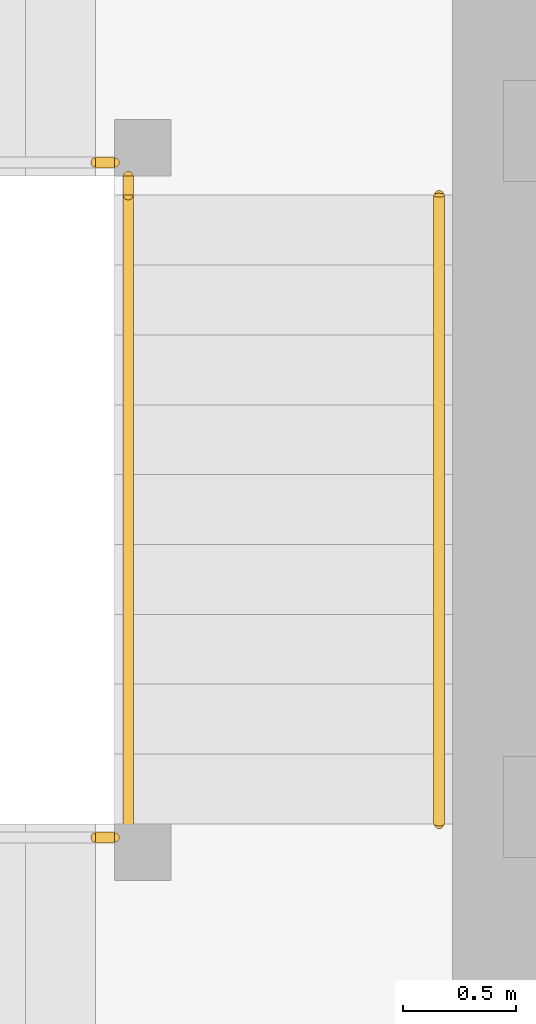
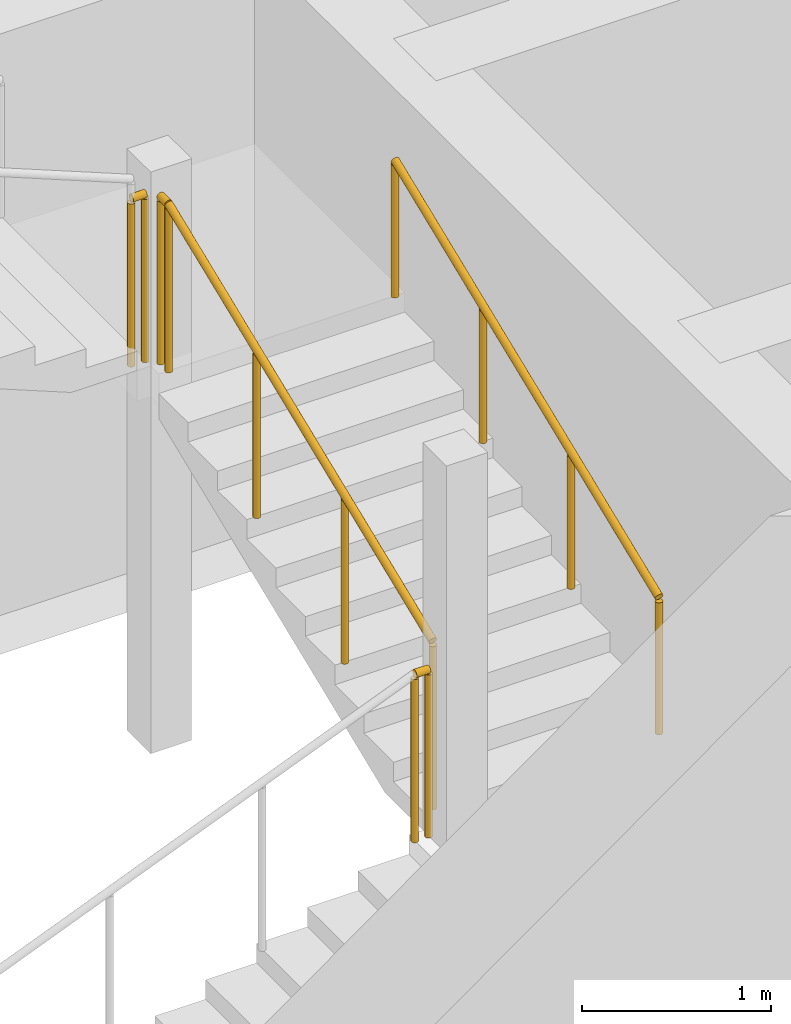
# One storey, part 36 of 40: 5 railings.
"""IFC4 building model written with IfcOpenShell, lengths in metres."""

from ifc_helpers import new_model, si_unit, direction, frame, origin, origin_2d, place, context, subcontext, project, spatial, circle, extrude, material, type_object, element, save


model = new_model("IFC4")

# Units and contexts
model_context = context("Model", 3, precision=1e-05, world=origin(), true_north=direction((0.0, 1.0)))
body_context = subcontext(model_context, "Body", "Model", "MODEL_VIEW")
ifc_project = project(units=[si_unit("LENGTHUNIT", "METRE"), si_unit("AREAUNIT", "SQUARE_METRE"), si_unit("VOLUMEUNIT", "CUBIC_METRE"), si_unit("PLANEANGLEUNIT", "RADIAN"), si_unit("MASSUNIT", "GRAM", prefix="KILO")], contexts=[model_context])

# Site, building, storey
site_placement = place(None, origin())
site = spatial("IfcSite", under=ifc_project, at=site_placement, CompositionType="ELEMENT")
building_placement = place(site_placement, origin())
building = spatial("IfcBuilding", under=site, at=building_placement, Name="Rekha Terrace Tower", CompositionType="ELEMENT")
storey_placement = place(building_placement, frame((0.0, 0.0, 121.550048828125)))
storey = spatial("IfcBuildingStorey", under=building, at=storey_placement, Name="L30", CompositionType="ELEMENT", Elevation=121.550048828125)

# Railings
ifc_material_1 = material(Name="Stainless steel balustrade", Category="steel")
railing_type_1 = type_object("IfcRailingType", Name="GR1 1100 stair guard", PredefinedType="GUARDRAIL", material=ifc_material_1)
railing_1_placement = place(storey_placement, frame((30.135009765625, 41.324951171875, 1.375)))
element("IfcRailing", 1, at=railing_1_placement, inside=storey, type_object=railing_type_1, Name="Guard ST4 L30 flight 2", PredefinedType="GUARDRAIL", context=body_context, shape_type="SweptSolid", body=[
    extrude(circle(Radius=0.02392578125, at=origin_2d()), frame((0.0, 0.0, 1.076171875), z_axis=(0.0, 0.927443287984, 0.373963831907), x_axis=(-1.0, 0.0, 0.0)), (0.0, 0.0, 1.0), 3.00830078125),
    extrude(circle(Radius=0.02099609375, at=origin_2d()), origin(), (0.0, 0.0, 1.0), 1.052001953125),
    extrude(circle(Radius=0.02099609375, at=origin_2d()), frame((0.0, 0.929931640625, 0.375)), (0.0, 0.0, 1.0), 1.052001953125),
    extrude(circle(Radius=0.02099609375, at=origin_2d()), frame((0.0, 1.860107421875, 0.75)), (0.0, 0.0, 1.0), 1.052001953125),
    extrude(circle(Radius=0.02099609375, at=origin_2d()), frame((0.0, 2.7900390625, 1.125)), (0.0, 0.0, 1.0), 1.052001953125),
])
railing_2_placement = place(storey_placement, frame((29.989990234375, 41.264892578125, 1.25)))
element("IfcRailing", 2, at=railing_2_placement, inside=storey, type_object=railing_type_1, Name="Guard ST4 L30 landing 1", PredefinedType="GUARDRAIL", context=body_context, shape_type="SweptSolid", body=[
    extrude(circle(Radius=0.02392578125, at=origin_2d()), frame((0.0, 0.0, 1.076171875), z_axis=(1.0, 0.0, 0.0), x_axis=(0.0, 1.0, 0.0)), (0.0, 0.0, 1.0), 0.0849609375),
    extrude(circle(Radius=0.02099609375, at=origin_2d()), origin(), (0.0, 0.0, 1.0), 1.052001953125),
    extrude(circle(Radius=0.02099609375, at=origin_2d()), frame((0.0849609375, 0.0, 0.0)), (0.0, 0.0, 1.0), 1.052001953125),
])
railing_3_placement = place(storey_placement, frame((30.135009765625, 44.114990234375, 2.5)))
element("IfcRailing", 3, at=railing_3_placement, inside=storey, type_object=railing_type_1, Name="Guard ST4 L30 landing 2", PredefinedType="GUARDRAIL", context=body_context, shape_type="SweptSolid", body=[
    extrude(circle(Radius=0.02392578125, at=origin_2d()), frame((0.0, 0.0, 1.076171875), z_axis=(0.0, 1.0, 0.0), x_axis=(-1.0, 0.0, 0.0)), (0.0, 0.0, 1.0), 0.0849609375),
    extrude(circle(Radius=0.02099609375, at=origin_2d()), origin(), (0.0, 0.0, 1.0), 1.052001953125),
    extrude(circle(Radius=0.02099609375, at=origin_2d()), frame((0.0, 0.0849609375, 0.0)), (0.0, 0.0, 1.0), 1.052001953125),
])
railing_4_placement = place(storey_placement, frame((29.989990234375, 44.260009765625, 2.5)))
element("IfcRailing", 4, at=railing_4_placement, inside=storey, type_object=railing_type_1, Name="Guard ST4 L30 landing 3", PredefinedType="GUARDRAIL", context=body_context, shape_type="SweptSolid", body=[
    extrude(circle(Radius=0.02392578125, at=origin_2d()), frame((0.0, 0.0, 1.076171875), z_axis=(1.0, 0.0, 0.0), x_axis=(0.0, 1.0, 0.0)), (0.0, 0.0, 1.0), 0.0849609375),
    extrude(circle(Radius=0.02099609375, at=origin_2d()), origin(), (0.0, 0.0, 1.0), 1.052001953125),
    extrude(circle(Radius=0.02099609375, at=origin_2d()), frame((0.0849609375, 0.0, 0.0)), (0.0, 0.0, 1.0), 1.052001953125),
])
ifc_material_2 = material(Name="Stainless steel tube", Category="steel")
railing_type_2 = type_object("IfcRailingType", Name="HR1 900 stair handrail", PredefinedType="HANDRAIL", material=ifc_material_2)
railing_5_placement = place(storey_placement, frame((31.514892578125, 41.324951171875, 1.375)))
element("IfcRailing", 5, at=railing_5_placement, inside=storey, type_object=railing_type_2, Name="Handrail ST4 L30 flight 2", PredefinedType="HANDRAIL", context=body_context, shape_type="SweptSolid", body=[
    extrude(circle(Radius=0.02392578125, at=origin_2d()), frame((0.0, 0.0, 0.8759765625), z_axis=(0.0, 0.927443287984, 0.373963831907), x_axis=(-1.0, 0.0, 0.0)), (0.0, 0.0, 1.0), 3.00830078125),
    extrude(circle(Radius=0.02099609375, at=origin_2d()), origin(), (0.0, 0.0, 1.0), 0.851806640625),
    extrude(circle(Radius=0.02099609375, at=origin_2d()), frame((0.0, 0.929931640625, 0.375)), (0.0, 0.0, 1.0), 0.851806640625),
    extrude(circle(Radius=0.02099609375, at=origin_2d()), frame((0.0, 1.860107421875, 0.75)), (0.0, 0.0, 1.0), 0.851806640625),
    extrude(circle(Radius=0.02099609375, at=origin_2d()), frame((0.0, 2.7900390625, 1.125)), (0.0, 0.0, 1.0), 0.851806640625),
])

save(model, "model.ifc")
